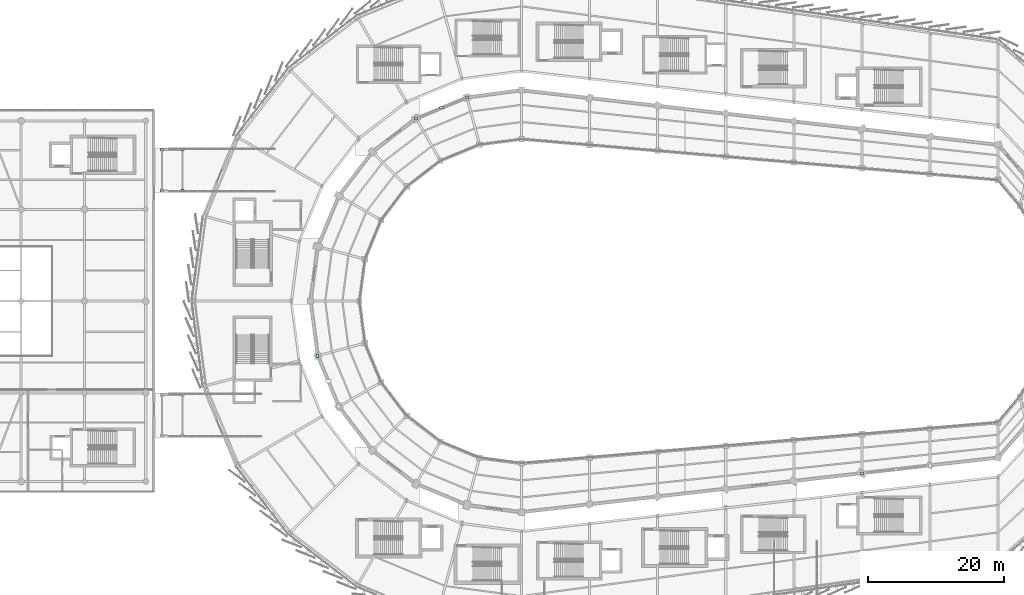
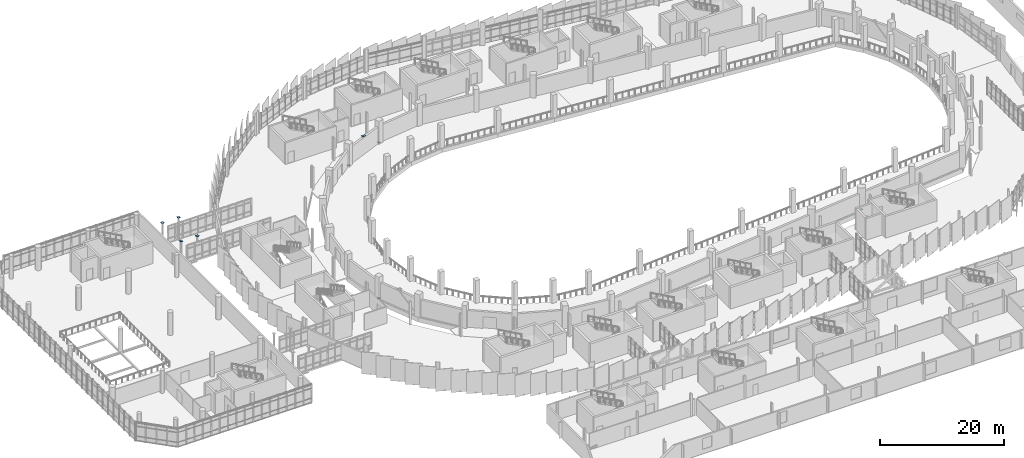
# One storey, part 99 of 125: 9 plates.
"""IFC4 building model written with IfcOpenShell, lengths in metres."""

from ifc_helpers import new_model, si_unit, direction, frame, origin, origin_2d, place, context, subcontext, project, spatial, rectangle, extrude, material, layer, layer_set, type_object, element, save


model = new_model("IFC4")

# Units and contexts
model_context = context("Model", 3, precision=1e-05, world=origin(), true_north=direction((0.0, 1.0)))
body_context = subcontext(model_context, "Body", "Model", "MODEL_VIEW")
ifc_project = project(units=[si_unit("LENGTHUNIT", "METRE"), si_unit("AREAUNIT", "SQUARE_METRE"), si_unit("VOLUMEUNIT", "CUBIC_METRE"), si_unit("PLANEANGLEUNIT", "RADIAN"), si_unit("MASSUNIT", "GRAM", prefix="KILO")], contexts=[model_context])

# Site, building, storey
site_placement = place(None, origin())
site = spatial("IfcSite", under=ifc_project, at=site_placement, CompositionType="ELEMENT")
building_placement = place(site_placement, origin())
building = spatial("IfcBuilding", under=site, at=building_placement, Name="Sohan Crest Arena", CompositionType="ELEMENT")
storey_placement = place(building_placement, frame((0.0, 0.0, 9.0)))
storey = spatial("IfcBuildingStorey", under=building, at=storey_placement, Name="L02", CompositionType="ELEMENT", Elevation=9.0)

# Plates
ifc_material = material(Name="Steel S355", Category="steel")
ifc_layer_1 = layer(ifc_material, 0.031982421875, Name="Steel S355")
ifc_layer_set_1 = layer_set([ifc_layer_1], Name="Steel S355")
plate_type_1 = type_object("IfcPlateType", Name="STR-PL-BP01", PredefinedType="USERDEFINED", material=ifc_layer_set_1)
for number, where, z_axis, x_axis, name in (
    (1, (45.199951171875, 94.25, 4.487548828125), (0.0, 0.0, 1.0), (1.0, 0.0, 0.0), "Hollow section end cap plate ECP-0040"),
    (2, (48.199951171875, 94.25, 4.487548828125), (0.0, 0.0, 1.0), (1.0, 0.0, 0.0), "Hollow section end cap plate ECP-0045"),
    (3, (45.199951171875, 100.25, 4.487548828125), (0.0, 0.0, 1.0), (1.0, 0.0, 0.0), "Hollow section end cap plate ECP-0050"),
    (4, (48.199951171875, 100.25, 4.487548828125), (0.0, 0.0, 1.0), (1.0, 0.0, 0.0), "Hollow section end cap plate ECP-0055"),
    (5, (89.97705078125, 107.944091796875, -0.012451171875), (0.0, 0.0, 1.0), (1.0, 0.0, 0.0), "Hollow section end cap plate ECP-0503"),
    (6, (82.5, 104.846923828125, -0.012451171875), (0.0, 0.0, 1.0), (1.0, 0.0, 0.0), "Hollow section end cap plate ECP-0504"),
    (7, (68.055908203125, 69.97705078125, -0.012451171875), (0.0, 0.0, 1.0), (1.0, 0.0, 0.0), "Hollow section end cap plate ECP-0511"),
    (8, (148.0, 52.714111328125, -0.012451171875), (0.0, 0.0, 1.0), (1.0, 0.0, 0.0), "Hollow section end cap plate ECP-0519"),
):
    element("IfcPlate", number, at=place(storey_placement, frame(where, z_axis=z_axis, x_axis=x_axis)), inside=storey, type_object=plate_type_1, Name=name, ObjectType="BASE PLATE", PredefinedType="USERDEFINED", context=body_context, shape_type="SweptSolid", body=[
        extrude(rectangle(XDim=0.449951171875, YDim=0.449951171875, at=origin_2d()), origin(), (0.0, 0.0, 1.0), 0.02490234375),
    ])
ifc_layer_2 = layer(ifc_material, 0.02197265625, Name="Steel S355")
ifc_layer_set_2 = layer_set([ifc_layer_2], Name="Steel S355")
plate_type_2 = type_object("IfcPlateType", Name="STR-PL-SP02", PredefinedType="SHEET", material=ifc_layer_set_2)
plate_placement = place(storey_placement, frame((86.239013671875, 106.39501953125, 3.489013671875), z_axis=(0.0, 0.0, 1.0), x_axis=(1.0, 0.0, 0.0)))
element("IfcPlate", 9, at=plate_placement, inside=storey, type_object=plate_type_2, Name="Brace connection sheet plate SP-BR006", PredefinedType="SHEET", context=body_context, shape_type="SweptSolid", body=[
    extrude(rectangle(XDim=0.60009765625, YDim=0.3798828125, at=origin_2d()), origin(), (0.0, 0.0, 1.0), 0.02197265625),
])

save(model, "model.ifc")
